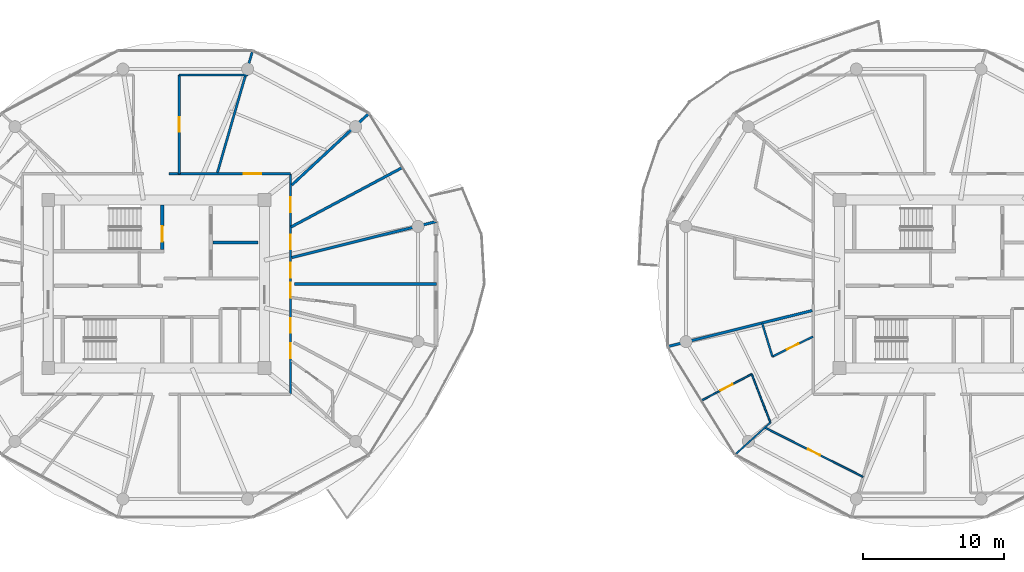
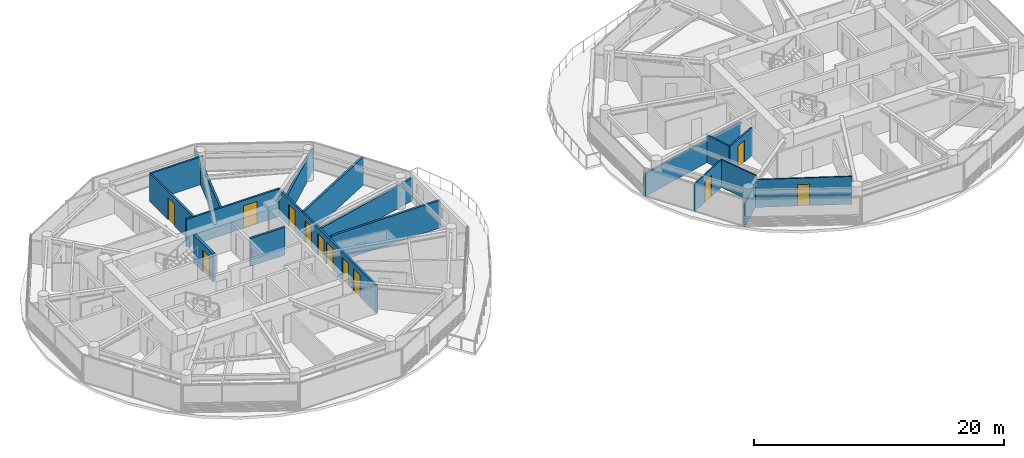
# One storey, part 15 of 22: 18 walls, 12 doors, 12 openings.
"""IFC4 building model written with IfcOpenShell, lengths in metres."""

import ifcopenshell
import ifcopenshell.guid

model = None  # the IFC model being written
_history = None  # IfcOwnerHistory: only IFC2X3 demands one
_inside = {}  # id of a spatial element -> (the spatial element, [elements in it])
_under = {}  # id of a project, library or spatial element -> (it, [spatial elements below it])
_declared = {}  # id of a project -> (the project, [libraries it declares])
_typed = {}  # id of a type object -> (the type object, [elements of that type])
_made_of = {}  # id of a material, layer set ... -> (it, [elements and type objects made of it])


def new_model(schema):
    """Start an empty IFC model of exactly this schema.

    Asked for "IFC4X3", IfcOpenShell would pick the latest addendum, in which some entities
    have other attributes; the version numbers below select the first issue.
    IFC2X3 requires an IfcOwnerHistory on every rooted entity: one is made here for all.
    """
    global model, _history
    if schema == "IFC4X3":
        model = ifcopenshell.file(schema_version=(4, 3, 0, 0))
    else:
        model = ifcopenshell.file(schema=schema)
    _inside.clear()
    _under.clear()
    _declared.clear()
    _typed.clear()
    _made_of.clear()
    _history = None
    if model.schema == "IFC2X3":
        org = make("IfcOrganization", Name="unknown")
        user = make(
            "IfcPersonAndOrganization",
            ThePerson=make("IfcPerson", FamilyName="unknown"),
            TheOrganization=org,
        )
        app = make(
            "IfcApplication",
            ApplicationDeveloper=org,
            Version="unknown",
            ApplicationFullName="unknown",
            ApplicationIdentifier="unknown",
        )
        _history = make(
            "IfcOwnerHistory",
            OwningUser=user,
            OwningApplication=app,
            ChangeAction="ADDED",
            CreationDate=0,
        )
    return model


def make(cls, **values):
    """One entity of the class cls with the attributes given. An attribute that is None is left unset."""
    return model.create_entity(
        cls, **{name: value for name, value in values.items() if value is not None}
    )


def rooted(cls, **values):
    """An entity with a GlobalId (a new one), such as an element, a storey or a relation."""
    return make(cls, GlobalId=ifcopenshell.guid.new(), OwnerHistory=_history, **values)


def si_unit(unit_type, name, prefix=None):
    """IfcSIUnit, for example si_unit("LENGTHUNIT", "METRE", prefix="MILLI")."""
    return make("IfcSIUnit", UnitType=unit_type, Prefix=prefix, Name=name)


def assignment(units):
    """IfcUnitAssignment: the units of a project."""
    return None if units is None else make("IfcUnitAssignment", Units=units)


def point(xyz):
    """IfcCartesianPoint."""
    return None if xyz is None else make("IfcCartesianPoint", Coordinates=xyz)


def direction(xyz):
    """IfcDirection."""
    return None if xyz is None else make("IfcDirection", DirectionRatios=xyz)


def frame(location, z_axis=None, x_axis=None):
    """IfcAxis2Placement3D, a coordinate frame: its origin and axes. An axis left out is left unset."""
    return make(
        "IfcAxis2Placement3D",
        Location=point(location),
        Axis=direction(z_axis),
        RefDirection=direction(x_axis),
    )


def frame_2d(location, x_axis=None):
    """IfcAxis2Placement2D, a coordinate frame in the plane: its origin and x axis."""
    return make(
        "IfcAxis2Placement2D", Location=point(location), RefDirection=direction(x_axis)
    )


def origin():
    """The frame at (0, 0, 0) with its axes left unset."""
    return frame((0.0, 0.0, 0.0))


def place(relative_to, where):
    """IfcLocalPlacement: puts the frame where relative to a parent placement (None: the world)."""
    return make(
        "IfcLocalPlacement", PlacementRelTo=relative_to, RelativePlacement=where
    )


def context(
    kind, dimensions, precision=None, world=None, true_north=None, identifier=None
):
    """IfcGeometricRepresentationContext, for example the 3D "Model" context."""
    return make(
        "IfcGeometricRepresentationContext",
        ContextIdentifier=identifier,
        ContextType=kind,
        CoordinateSpaceDimension=dimensions,
        Precision=precision,
        WorldCoordinateSystem=world,
        TrueNorth=true_north,
    )


def subcontext(parent, identifier, kind, view, scale=None):
    """IfcGeometricRepresentationSubContext, for example "Body" below "Model"."""
    return make(
        "IfcGeometricRepresentationSubContext",
        ContextIdentifier=identifier,
        ContextType=kind,
        ParentContext=parent,
        TargetScale=scale,
        TargetView=view,
    )


def project(units=None, contexts=None):
    """IfcProject with its units and contexts."""
    return rooted(
        "IfcProject",
        Name="project",
        RepresentationContexts=contexts,
        UnitsInContext=assignment(units),
    )


def spatial(cls, under=None, at=None, **own):
    """A site, building, storey or space (cls), placed at a placement, below another one or the project."""
    s = rooted(cls, ObjectPlacement=at, **own)
    if under is not None:
        _under.setdefault(under.id(), (under, []))[1].append(s)
    return s


def profile(cls, at=None, kind="AREA", **sizes):
    """A parametric profile (cls). Its sizes go by their IFC names, for example OverallWidth=200.0."""
    return make(cls, ProfileType=kind, Position=at, **sizes)


def rectangle(**sizes):
    """IfcRectangleProfileDef."""
    return profile("IfcRectangleProfileDef", **sizes)


def extrude(swept, where, along, depth):
    """IfcExtrudedAreaSolid: the profile swept, set in the frame where, extruded along a direction by depth."""
    return make(
        "IfcExtrudedAreaSolid",
        SweptArea=swept,
        Position=where,
        ExtrudedDirection=direction(along),
        Depth=depth,
    )


def shape(context_of_items, identifier, shape_type, items):
    """IfcShapeRepresentation: the items that make up one representation, for example the "Body"."""
    return make(
        "IfcShapeRepresentation",
        ContextOfItems=context_of_items,
        RepresentationIdentifier=identifier,
        RepresentationType=shape_type,
        Items=items,
    )


def source(mapping_origin, context_of_items, identifier, shape_type, items):
    """IfcRepresentationMap: a shape defined once, which mapped items show again and again."""
    return make(
        "IfcRepresentationMap",
        MappingOrigin=mapping_origin,
        MappedRepresentation=shape(context_of_items, identifier, shape_type, items),
    )


def transform(
    local_origin,
    x_axis=None,
    y_axis=None,
    z_axis=None,
    scale=None,
    scale2=None,
    scale3=None,
    uniform=True,
):
    """IfcCartesianTransformationOperator3D, or its non-uniform kind. x_axis, y_axis, z_axis: its Axis1, 2, 3."""
    if uniform:
        return make(
            "IfcCartesianTransformationOperator3D",
            Axis1=direction(x_axis),
            Axis2=direction(y_axis),
            LocalOrigin=point(local_origin),
            Scale=scale,
            Axis3=direction(z_axis),
        )
    return make(
        "IfcCartesianTransformationOperator3DnonUniform",
        Axis1=direction(x_axis),
        Axis2=direction(y_axis),
        LocalOrigin=point(local_origin),
        Scale=scale,
        Axis3=direction(z_axis),
        Scale2=scale2,
        Scale3=scale3,
    )


def mapped(mapping_source, mapping_target):
    """IfcMappedItem: shows the shape of a source again, moved by a transform."""
    return make(
        "IfcMappedItem", MappingSource=mapping_source, MappingTarget=mapping_target
    )


def material(Name=None, Category=None):
    """IfcMaterial."""
    return make("IfcMaterial", Name=Name, Category=Category)


def layer(
    of_material, thickness, ventilated=None, Name=None, Category=None, Priority=None
):
    """IfcMaterialLayer: one layer of a wall or slab, of a material (None: an air gap)."""
    return make(
        "IfcMaterialLayer",
        Material=of_material,
        LayerThickness=thickness,
        IsVentilated=ventilated,
        Name=Name,
        Category=Category,
        Priority=Priority,
    )


def layer_set(layers, Name=None):
    """IfcMaterialLayerSet."""
    return make("IfcMaterialLayerSet", MaterialLayers=layers, LayerSetName=Name)


def made_of(thing, what):
    """Note that an element or type object is made of a material, layer set ...; save() writes the relation."""
    if what is not None:
        _made_of.setdefault(what.id(), (what, []))[1].append(thing)
    return thing


def type_object(cls, material=None, **own):
    """A type object (cls), such as IfcWallType, which elements share."""
    return made_of(rooted(cls, **own), material)


def type_shapes(of_type, sources):
    """Give a type object the sources (RepresentationMaps) that its elements show as mapped items."""
    of_type.RepresentationMaps = sources


def element(
    cls,
    number,
    at=None,
    inside=None,
    cuts=None,
    type_object=None,
    material=None,
    context=None,
    identifier="Body",
    shape_type=None,
    held_by="IfcProductDefinitionShape",
    body=None,
    shapes=None,
    **own,
):
    """One element of the class cls, such as IfcWall. Its Tag is "e" and its number.

    at: its placement. inside: the storey or other place that contains it. cuts: it is an
    opening in that element (IfcRelVoidsElement). A single representation is given by context,
    identifier, shape_type and body (its items); several are given by shapes. held_by: the class
    of the entity that holds the representations. save() writes the other relations.
    """
    e = rooted(cls, Tag="e%d" % number, ObjectPlacement=at, **own)
    if body is not None:
        shapes = [shape(context, identifier, shape_type, body)]
    if shapes is not None:
        e.Representation = make(held_by, Representations=shapes)
    if inside is not None:
        _inside.setdefault(inside.id(), (inside, []))[1].append(e)
    if cuts is not None:
        rooted(
            "IfcRelVoidsElement", RelatingBuildingElement=cuts, RelatedOpeningElement=e
        )
    if type_object is not None:
        _typed.setdefault(type_object.id(), (type_object, []))[1].append(e)
    return made_of(e, material)


def fill(opening, filler):
    """IfcRelFillsElement: the door or window that sits in an opening."""
    return rooted(
        "IfcRelFillsElement",
        RelatingOpeningElement=opening,
        RelatedBuildingElement=filler,
    )


def aggregate(whole, parts):
    """IfcRelAggregates: a whole, such as a stair, and the parts it consists of."""
    return rooted("IfcRelAggregates", RelatingObject=whole, RelatedObjects=parts)


def save(model, path):
    """Write the relations noted so far, then the file.

    IfcRelAggregates (storeys below a building ...), IfcRelContainedInSpatialStructure (elements
    in a storey), IfcRelDefinesByType, IfcRelAssociatesMaterial and IfcRelDeclares: one each for
    every whole, place, type object, material and project.
    """
    for whole, parts in _under.values():
        aggregate(whole, parts)
    for where, things in _inside.values():
        rooted(
            "IfcRelContainedInSpatialStructure",
            RelatedElements=things,
            RelatingStructure=where,
        )
    for kind, things in _typed.values():
        rooted("IfcRelDefinesByType", RelatedObjects=things, RelatingType=kind)
    for what, things in _made_of.values():
        rooted("IfcRelAssociatesMaterial", RelatedObjects=things, RelatingMaterial=what)
    for by, libraries in _declared.values():
        rooted("IfcRelDeclares", RelatingContext=by, RelatedDefinitions=libraries)
    model.write(path)


model = new_model("IFC4")

# Units and contexts
model_context = context("Model", 3, precision=1e-05, world=origin(), true_north=direction((0.0, 1.0)))
body_context = subcontext(model_context, "Body", "Model", "MODEL_VIEW")
ifc_project = project(units=[si_unit("LENGTHUNIT", "METRE"), si_unit("AREAUNIT", "SQUARE_METRE"), si_unit("VOLUMEUNIT", "CUBIC_METRE"), si_unit("PLANEANGLEUNIT", "RADIAN"), si_unit("MASSUNIT", "GRAM", prefix="KILO")], contexts=[model_context])

# Site, building, storey
site_placement = place(None, origin())
site = spatial("IfcSite", under=ifc_project, at=site_placement, CompositionType="ELEMENT")
building_placement = place(site_placement, origin())
building = spatial("IfcBuilding", under=site, at=building_placement, Name="Norrkilde Senior Care Towers", CompositionType="ELEMENT")
storey_placement = place(building_placement, frame((0.0, 0.0, 126.75)))
storey = spatial("IfcBuildingStorey", under=building, at=storey_placement, Name="L39", CompositionType="ELEMENT", Elevation=126.75)

# Wall
ifc_material_1 = material(Name="Concrete C45/55", Category="concrete")
ifc_layer_1 = layer(ifc_material_1, 0.199951171875)
ifc_layer_set_1 = layer_set([ifc_layer_1], Name="Concrete C45/55")
wall_type_1 = type_object("IfcWallType", Name="Shaft Division and Plant Partition 200", PredefinedType="PARTITIONING", material=ifc_layer_set_1)
shared_shape_1 = source(origin(), body_context, "Body", "SweptSolid", [
    extrude(rectangle(XDim=3.199951171875, YDim=0.199951171875, at=frame_2d((1.60009765625, 0.0))), origin(), (0.0, 0.0, 1.0), 2.715087890625),
])
type_shapes(wall_type_1, [shared_shape_1])
wall_1_placement = place(storey_placement, frame((-24.0, 2.949951171875, 0.0), z_axis=(0.0, 0.0, 1.0), x_axis=(1.0, 0.0, 0.0)))
element("IfcWall", 1, at=wall_1_placement, inside=storey, type_object=wall_type_1, Name="WL-INT-L39-W-FFLDIV", PredefinedType="PARTITIONING", context=body_context, shape_type="MappedRepresentation", body=[
    mapped(shared_shape_1, transform((0.0, 0.0, 0.0), x_axis=(1.0, 0.0, 0.0), y_axis=(0.0, 1.0, 0.0), z_axis=(0.0, 0.0, 1.0), scale=1.0)),
])

# Wall, openings, doors
ifc_material_2 = material(Name="Gypsum Acoustic Board")
ifc_layer_2 = layer(ifc_material_2, 0.1650390625)
ifc_layer_set_2 = layer_set([ifc_layer_2], Name="Gypsum Acoustic Board")
wall_type_2 = type_object("IfcWallType", Name="Corridor Rated Partition 165", PredefinedType="PARTITIONING", material=ifc_layer_set_2)
shared_shape_2 = source(origin(), body_context, "Body", "SweptSolid", [
    extrude(rectangle(XDim=15.60009765625, YDim=0.1650390625, at=frame_2d((7.800048828125, 0.0))), origin(), (0.0, 0.0, 1.0), 2.715087890625),
])
wall_2_placement = place(storey_placement, frame((-18.5, 7.800048828125, 0.0), z_axis=(0.0, 0.0, 1.0), x_axis=(0.0, -1.0, 0.0)))
wall_2 = element("IfcWall", 2, at=wall_2_placement, inside=storey, type_object=wall_type_2, Name="WL-INT-L39-W-CRW-E-0", PredefinedType="PARTITIONING", context=body_context, shape_type="MappedRepresentation", body=[
    mapped(shared_shape_2, transform((0.0, 0.0, 0.0), x_axis=(1.0, 0.0, 0.0), y_axis=(0.0, 1.0, 0.0), z_axis=(0.0, 0.0, 1.0), scale=1.0)),
])
opening_1_placement = place(wall_2_placement, frame((12.001953125, 0.0, 0.0)))
opening_1 = element("IfcOpeningElement", 3, at=opening_1_placement, cuts=wall_2, Name="Opening D-06", PredefinedType="OPENING", context=body_context, shape_type="SweptSolid", body=[
    extrude(rectangle(XDim=1.050048828125, YDim=2.14990234375, at=frame_2d((0.52490234375, 1.074951171875))), frame((0.0, 0.092529296875, 0.0), z_axis=(0.0, -1.0, 0.0), x_axis=(1.0, 0.0, 0.0)), (0.0, 0.0, 1.0), 0.18505859375),
])
opening_2_placement = place(wall_2_placement, frame((10.210693359375, 0.0, 0.0)))
opening_2 = element("IfcOpeningElement", 4, at=opening_2_placement, cuts=wall_2, Name="Opening D-06", PredefinedType="OPENING", context=body_context, shape_type="SweptSolid", body=[
    extrude(rectangle(XDim=1.050048828125, YDim=2.14990234375, at=frame_2d((0.52490234375, 1.074951171875))), frame((0.0, 0.092529296875, 0.0), z_axis=(0.0, -1.0, 0.0), x_axis=(1.0, 0.0, 0.0)), (0.0, 0.0, 1.0), 0.18505859375),
])
opening_3_placement = place(wall_2_placement, frame((7.721923828125, 0.0, 0.0)))
opening_3 = element("IfcOpeningElement", 5, at=opening_3_placement, cuts=wall_2, Name="Opening D-06", PredefinedType="OPENING", context=body_context, shape_type="SweptSolid", body=[
    extrude(rectangle(XDim=1.050048828125, YDim=2.14990234375, at=frame_2d((0.52490234375, 1.074951171875))), frame((0.0, 0.092529296875, 0.0), z_axis=(0.0, -1.0, 0.0), x_axis=(1.0, 0.0, 0.0)), (0.0, 0.0, 1.0), 0.18505859375),
])
opening_4_placement = place(wall_2_placement, frame((6.290771484375, 0.0, 0.0)))
opening_4 = element("IfcOpeningElement", 6, at=opening_4_placement, cuts=wall_2, Name="Opening D-06", PredefinedType="OPENING", context=body_context, shape_type="SweptSolid", body=[
    extrude(rectangle(XDim=1.050048828125, YDim=2.14990234375, at=frame_2d((0.52490234375, 1.074951171875))), frame((0.0, 0.092529296875, 0.0), z_axis=(0.0, -1.0, 0.0), x_axis=(1.0, 0.0, 0.0)), (0.0, 0.0, 1.0), 0.18505859375),
])
opening_5_placement = place(wall_2_placement, frame((4.296142578125, 0.0, 0.0)))
opening_5 = element("IfcOpeningElement", 7, at=opening_5_placement, cuts=wall_2, Name="Opening D-06", PredefinedType="OPENING", context=body_context, shape_type="SweptSolid", body=[
    extrude(rectangle(XDim=1.050048828125, YDim=2.14990234375, at=frame_2d((0.52490234375, 1.074951171875))), frame((0.0, 0.092529296875, 0.0), z_axis=(0.0, -1.0, 0.0), x_axis=(1.0, 0.0, 0.0)), (0.0, 0.0, 1.0), 0.18505859375),
])
opening_6_placement = place(wall_2_placement, frame((1.654052734375, 0.0, 0.0)))
opening_6 = element("IfcOpeningElement", 8, at=opening_6_placement, cuts=wall_2, Name="Opening D-06", PredefinedType="OPENING", context=body_context, shape_type="SweptSolid", body=[
    extrude(rectangle(XDim=1.050048828125, YDim=2.14990234375, at=frame_2d((0.52490234375, 1.074951171875))), frame((0.0, 0.092529296875, 0.0), z_axis=(0.0, -1.0, 0.0), x_axis=(1.0, 0.0, 0.0)), (0.0, 0.0, 1.0), 0.18505859375),
])
ifc_material_3 = material(Name="Nordic Ash Timber", Category="wood")
door_type_1 = type_object("IfcDoorType", Name="Apartment Entrance Fire Door 1050x2150", OperationType="NOTDEFINED", PredefinedType="DOOR", material=ifc_material_3)
shared_shape_3 = source(origin(), body_context, "Body", "SweptSolid", [
    extrude(rectangle(XDim=1.050048828125, YDim=2.14990234375, at=frame_2d((0.52490234375, 1.074951171875))), frame((0.0, 0.02490234375, 0.0), z_axis=(0.0, -1.0, 0.0), x_axis=(1.0, 0.0, 0.0)), (0.0, 0.0, 1.0), 0.050048828125),
])
type_shapes(door_type_1, [shared_shape_3])
door_1_placement = place(opening_1_placement, frame((1.050048828125, 0.0, 0.0), z_axis=(0.0, 0.0, 1.0), x_axis=(-1.0, 0.0, 0.0)))
door_1 = element("IfcDoor", 9, at=door_1_placement, inside=storey, type_object=door_type_1, Name="L39 Care Suite 3910A Entrance Door", OperationType="SINGLE_SWING_LEFT", OverallHeight=2.14990234375, OverallWidth=1.050048828125, PredefinedType="DOOR", context=body_context, shape_type="MappedRepresentation", body=[
    mapped(shared_shape_3, transform((0.0, 0.0, 0.0), x_axis=(1.0, 0.0, 0.0), y_axis=(0.0, 1.0, 0.0), z_axis=(0.0, 0.0, 1.0), scale=1.0)),
])
fill(opening_1, door_1)
door_2_placement = place(opening_2_placement, frame((1.050048828125, 0.0, 0.0), z_axis=(0.0, 0.0, 1.0), x_axis=(-1.0, 0.0, 0.0)))
door_2 = element("IfcDoor", 10, at=door_2_placement, inside=storey, type_object=door_type_1, Name="L39 Therapy Day Lounge 10 Door", OperationType="SINGLE_SWING_RIGHT", OverallHeight=2.14990234375, OverallWidth=1.050048828125, PredefinedType="DOOR", context=body_context, shape_type="MappedRepresentation", body=[
    mapped(shared_shape_3, transform((0.0, 0.0, 0.0), x_axis=(1.0, 0.0, 0.0), y_axis=(0.0, 1.0, 0.0), z_axis=(0.0, 0.0, 1.0), scale=1.0)),
])
fill(opening_2, door_2)
door_3_placement = place(opening_3_placement, frame((1.050048828125, 0.0, 0.0), z_axis=(0.0, 0.0, 1.0), x_axis=(-1.0, 0.0, 0.0)))
door_3 = element("IfcDoor", 11, at=door_3_placement, inside=storey, type_object=door_type_1, Name="L39 Care Suite 3911A Entrance Door", OperationType="SINGLE_SWING_RIGHT", OverallHeight=2.14990234375, OverallWidth=1.050048828125, PredefinedType="DOOR", context=body_context, shape_type="MappedRepresentation", body=[
    mapped(shared_shape_3, transform((0.0, 0.0, 0.0), x_axis=(1.0, 0.0, 0.0), y_axis=(0.0, 1.0, 0.0), z_axis=(0.0, 0.0, 1.0), scale=1.0)),
])
fill(opening_3, door_3)
door_4_placement = place(opening_4_placement, frame((1.050048828125, 0.0, 0.0), z_axis=(0.0, 0.0, 1.0), x_axis=(-1.0, 0.0, 0.0)))
door_4 = element("IfcDoor", 12, at=door_4_placement, inside=storey, type_object=door_type_1, Name="L39 Therapy Day Lounge 11 Door", OperationType="SINGLE_SWING_LEFT", OverallHeight=2.14990234375, OverallWidth=1.050048828125, PredefinedType="DOOR", context=body_context, shape_type="MappedRepresentation", body=[
    mapped(shared_shape_3, transform((0.0, 0.0, 0.0), x_axis=(1.0, 0.0, 0.0), y_axis=(0.0, 1.0, 0.0), z_axis=(0.0, 0.0, 1.0), scale=1.0)),
])
fill(opening_4, door_4)
door_5_placement = place(opening_5_placement, frame((1.050048828125, 0.0, 0.0), z_axis=(0.0, 0.0, 1.0), x_axis=(-1.0, 0.0, 0.0)))
door_5 = element("IfcDoor", 13, at=door_5_placement, inside=storey, type_object=door_type_1, Name="L39 Physiotherapy Clinic 0A Door", OperationType="SINGLE_SWING_LEFT", OverallHeight=2.14990234375, OverallWidth=1.050048828125, PredefinedType="DOOR", context=body_context, shape_type="MappedRepresentation", body=[
    mapped(shared_shape_3, transform((0.0, 0.0, 0.0), x_axis=(1.0, 0.0, 0.0), y_axis=(0.0, 1.0, 0.0), z_axis=(0.0, 0.0, 1.0), scale=1.0)),
])
fill(opening_5, door_5)
door_6_placement = place(opening_6_placement, frame((1.050048828125, 0.0, 0.0), z_axis=(0.0, 0.0, 1.0), x_axis=(-1.0, 0.0, 0.0)))
door_6 = element("IfcDoor", 14, at=door_6_placement, inside=storey, type_object=door_type_1, Name="L39 Assessment Clinic 0B Door", OperationType="SINGLE_SWING_RIGHT", OverallHeight=2.14990234375, OverallWidth=1.050048828125, PredefinedType="DOOR", context=body_context, shape_type="MappedRepresentation", body=[
    mapped(shared_shape_3, transform((0.0, 0.0, 0.0), x_axis=(1.0, 0.0, 0.0), y_axis=(0.0, 1.0, 0.0), z_axis=(0.0, 0.0, 1.0), scale=1.0)),
])
fill(opening_6, door_6)

# Wall, opening, door
ifc_layer_3 = layer(ifc_material_1, 0.239990234375)
ifc_layer_set_3 = layer_set([ifc_layer_3], Name="Concrete C45/55")
wall_type_3 = type_object("IfcWallType", Name="Shaft and Stair Enclosure Wall 240", PredefinedType="PARTITIONING", material=ifc_layer_set_3)
shared_shape_4 = source(origin(), body_context, "Body", "SweptSolid", [
    extrude(rectangle(XDim=3.14013671875, YDim=0.239990234375, at=frame_2d((1.570068359375, 0.0))), origin(), (0.0, 0.0, 1.0), 2.72998046875),
])
type_shapes(wall_type_3, [shared_shape_4])
wall_3_placement = place(storey_placement, frame((-27.580078125, 2.449951171875, 0.0), z_axis=(0.0, 0.0, 1.0), x_axis=(0.0, 1.0, 0.0)))
wall_3 = element("IfcWall", 15, at=wall_3_placement, inside=storey, type_object=wall_type_3, Name="WL-INT-L39-W-ST1E", PredefinedType="PARTITIONING", context=body_context, shape_type="MappedRepresentation", body=[
    mapped(shared_shape_4, transform((0.0, 0.0, 0.0), x_axis=(1.0, 0.0, 0.0), y_axis=(0.0, 1.0, 0.0), z_axis=(0.0, 0.0, 1.0), scale=1.0)),
])
opening_7_placement = place(wall_3_placement, frame((0.550048828125, 0.0, 0.0)))
opening_7 = element("IfcOpeningElement", 16, at=opening_7_placement, cuts=wall_3, Name="Opening D-03", PredefinedType="OPENING", context=body_context, shape_type="SweptSolid", body=[
    extrude(rectangle(XDim=1.10009765625, YDim=2.14990234375, at=frame_2d((0.550048828125, 1.074951171875))), frame((0.0, 0.1298828125, 0.0), z_axis=(0.0, -1.0, 0.0), x_axis=(1.0, 0.0, 0.0)), (0.0, 0.0, 1.0), 0.260009765625),
])
ifc_material_4 = material(Name="Galvanised Painted Steel", Category="steel")
door_type_2 = type_object("IfcDoorType", Name="Stairwell Protected Fire Door 1100x2150", OperationType="NOTDEFINED", PredefinedType="DOOR", material=ifc_material_4)
shared_shape_5 = source(origin(), body_context, "Body", "SweptSolid", [
    extrude(rectangle(XDim=1.10009765625, YDim=2.14990234375, at=frame_2d((0.550048828125, 1.074951171875))), frame((0.0, 0.02490234375, 0.0), z_axis=(0.0, -1.0, 0.0), x_axis=(1.0, 0.0, 0.0)), (0.0, 0.0, 1.0), 0.050048828125),
])
type_shapes(door_type_2, [shared_shape_5])
door_7_placement = place(opening_7_placement, origin())
door_7 = element("IfcDoor", 17, at=door_7_placement, inside=storey, type_object=door_type_2, Name="L39 Stair W1 Fire Door", OperationType="SINGLE_SWING_LEFT", OverallHeight=2.14990234375, OverallWidth=1.10009765625, PredefinedType="DOOR", context=body_context, shape_type="MappedRepresentation", body=[
    mapped(shared_shape_5, transform((0.0, 0.0, 0.0), x_axis=(1.0, 0.0, 0.0), y_axis=(0.0, 1.0, 0.0), z_axis=(0.0, 0.0, 1.0), scale=1.0)),
])
fill(opening_7, door_7)

shared_shape_6 = source(origin(), body_context, "Body", "SweptSolid", [
    extrude(rectangle(XDim=8.60009765625, YDim=0.1650390625, at=frame_2d((4.300048828125, 0.0))), origin(), (0.0, 0.0, 1.0), 2.715087890625),
])
wall_4_placement = place(storey_placement, frame((-27.10009765625, 7.800048828125, 0.0), z_axis=(0.0, 0.0, 1.0), x_axis=(1.0, 0.0, 0.0)))
wall_4 = element("IfcWall", 18, at=wall_4_placement, inside=storey, type_object=wall_type_2, Name="WL-INT-L39-W-CRW-N-1", PredefinedType="PARTITIONING", context=body_context, shape_type="MappedRepresentation", body=[
    mapped(shared_shape_6, transform((0.0, 0.0, 0.0), x_axis=(1.0, 0.0, 0.0), y_axis=(0.0, 1.0, 0.0), z_axis=(0.0, 0.0, 1.0), scale=1.0)),
])
opening_8_placement = place(wall_4_placement, frame((5.27490234375, 0.0, 0.0)))
opening_8 = element("IfcOpeningElement", 19, at=opening_8_placement, cuts=wall_4, Name="Opening D-05", PredefinedType="OPENING", context=body_context, shape_type="SweptSolid", body=[
    extrude(rectangle(XDim=1.25, YDim=2.199951171875, at=frame_2d((0.625, 1.10009765625))), frame((0.0, 0.092529296875, 0.0), z_axis=(0.0, -1.0, 0.0), x_axis=(1.0, 0.0, 0.0)), (0.0, 0.0, 1.0), 0.18505859375),
])
door_type_3 = type_object("IfcDoorType", Name="Care Bedroom Bariatric Door 1250x2200", OperationType="NOTDEFINED", PredefinedType="DOOR", material=ifc_material_3)
shared_shape_7 = source(origin(), body_context, "Body", "SweptSolid", [
    extrude(rectangle(XDim=1.25, YDim=2.199951171875, at=frame_2d((0.625, 1.10009765625))), frame((0.0, 0.02490234375, 0.0), z_axis=(0.0, -1.0, 0.0), x_axis=(1.0, 0.0, 0.0)), (0.0, 0.0, 1.0), 0.050048828125),
])
type_shapes(door_type_3, [shared_shape_7])
door_8_placement = place(opening_8_placement, frame((1.25, 0.0, 0.0), z_axis=(0.0, 0.0, 1.0), x_axis=(-1.0, 0.0, 0.0)))
door_8 = element("IfcDoor", 20, at=door_8_placement, inside=storey, type_object=door_type_3, Name="L39 Household Therapeutic Kitchen Door", OperationType="SINGLE_SWING_RIGHT", OverallHeight=2.199951171875, OverallWidth=1.25, PredefinedType="DOOR", context=body_context, shape_type="MappedRepresentation", body=[
    mapped(shared_shape_7, transform((0.0, 0.0, 0.0), x_axis=(1.0, 0.0, 0.0), y_axis=(0.0, 1.0, 0.0), z_axis=(0.0, 0.0, 1.0), scale=1.0)),
])
fill(opening_8, door_8)

# Wall
shared_shape_8 = source(origin(), body_context, "Body", "SweptSolid", [
    extrude(rectangle(XDim=8.9892578125, YDim=0.1650390625, at=frame_2d((4.49462890625, 0.0))), origin(), (0.0, 0.0, 1.0), 2.215087890625),
])
wall_5_placement = place(storey_placement, frame((-23.677978515625, 7.8798828125, 0.0), z_axis=(0.0, 0.0, 1.0), x_axis=(0.27702323008, 0.960863221274, 0.0)))
element("IfcWall", 21, at=wall_5_placement, inside=storey, type_object=wall_type_2, Name="WL-INT-L39-W-DEM-02-0", PredefinedType="PARTITIONING", context=body_context, shape_type="MappedRepresentation", body=[
    mapped(shared_shape_8, transform((0.0, 0.0, 0.0), x_axis=(1.0, 0.0, 0.0), y_axis=(0.0, 1.0, 0.0), z_axis=(0.0, 0.0, 1.0), scale=1.0)),
])

# Wall, opening, door
shared_shape_9 = source(origin(), body_context, "Body", "SweptSolid", [
    extrude(rectangle(XDim=6.989990234375, YDim=0.1650390625, at=frame_2d((3.4951171875, 0.0))), origin(), (0.0, 0.0, 1.0), 2.715087890625),
])
wall_6_placement = place(storey_placement, frame((-26.3798828125, 7.800048828125, 0.0), z_axis=(0.0, 0.0, 1.0), x_axis=(0.0, 1.0, 0.0)))
wall_6 = element("IfcWall", 22, at=wall_6_placement, inside=storey, type_object=wall_type_2, Name="WL-INT-L39-W-PKW-NEL", PredefinedType="PARTITIONING", context=body_context, shape_type="MappedRepresentation", body=[
    mapped(shared_shape_9, transform((0.0, 0.0, 0.0), x_axis=(1.0, 0.0, 0.0), y_axis=(0.0, 1.0, 0.0), z_axis=(0.0, 0.0, 1.0), scale=1.0)),
])
opening_9_placement = place(wall_6_placement, frame((2.969970703125, 0.0, 0.0)))
opening_9 = element("IfcOpeningElement", 23, at=opening_9_placement, cuts=wall_6, Name="Opening D-06", PredefinedType="OPENING", context=body_context, shape_type="SweptSolid", body=[
    extrude(rectangle(XDim=1.050048828125, YDim=2.14990234375, at=frame_2d((0.52490234375, 1.074951171875))), frame((0.0, 0.092529296875, 0.0), z_axis=(0.0, -1.0, 0.0), x_axis=(1.0, 0.0, 0.0)), (0.0, 0.0, 1.0), 0.18505859375),
])
door_9_placement = place(opening_9_placement, frame((1.050048828125, 0.0, 0.0), z_axis=(0.0, 0.0, 1.0), x_axis=(-1.0, 0.0, 0.0)))
door_9 = element("IfcDoor", 24, at=door_9_placement, inside=storey, type_object=door_type_1, Name="L39 Reading Lounge NEL Door", OperationType="SINGLE_SWING_RIGHT", OverallHeight=2.14990234375, OverallWidth=1.050048828125, PredefinedType="DOOR", context=body_context, shape_type="MappedRepresentation", body=[
    mapped(shared_shape_3, transform((0.0, 0.0, 0.0), x_axis=(1.0, 0.0, 0.0), y_axis=(0.0, 1.0, 0.0), z_axis=(0.0, 0.0, 1.0), scale=1.0)),
])
fill(opening_9, door_9)

# Walls
shared_shape_10 = source(origin(), body_context, "Body", "SweptSolid", [
    extrude(rectangle(XDim=4.8505859375, YDim=0.1650390625, at=frame_2d((2.42529296875, 0.0))), origin(), (0.0, 0.0, 1.0), 2.715087890625),
])
type_shapes(wall_type_2, [shared_shape_2, shared_shape_6, shared_shape_8, shared_shape_9, shared_shape_10])
wall_7_placement = place(storey_placement, frame((-26.3798828125, 14.7900390625, 0.0), z_axis=(0.0, 0.0, 1.0), x_axis=(1.0, 0.0, 0.0)))
element("IfcWall", 25, at=wall_7_placement, inside=storey, type_object=wall_type_2, Name="WL-INT-L39-W-PKH-NEL-0", PredefinedType="PARTITIONING", context=body_context, shape_type="MappedRepresentation", body=[
    mapped(shared_shape_10, transform((0.0, 0.0, 0.0), x_axis=(1.0, 0.0, 0.0), y_axis=(0.0, 1.0, 0.0), z_axis=(0.0, 0.0, 1.0), scale=1.0)),
])
ifc_layer_4 = layer(ifc_material_2, 0.18994140625)
ifc_layer_set_4 = layer_set([ifc_layer_4], Name="Gypsum Acoustic Board")
wall_type_4 = type_object("IfcWallType", Name="Unit Demising Acoustic Wall 190", PredefinedType="PARTITIONING", material=ifc_layer_set_4)
shared_shape_11 = source(origin(), body_context, "Body", "SweptSolid", [
    extrude(rectangle(XDim=10.5556640625, YDim=0.18994140625, at=frame_2d((5.27783203125, 0.0))), origin(), (0.0, 0.0, 1.0), 2.215087890625),
])
for number, where, z_axis, x_axis, name in (
    (26, (-18.419921875, 1.875, 0.0), (0.0, 0.0, 1.0), (0.970363857851, 0.241648470667, 0.0), "WL-INT-L39-W-DEM-00-0"),
    (27, (18.419921875, -1.875, 0.0), (0.0, 0.0, 1.0), (-0.970363857851, -0.241648470667, 0.0), "WL-INT-L39-E-DEM-06-0"),
):
    element("IfcWall", number, at=place(storey_placement, frame(where, z_axis=z_axis, x_axis=x_axis)), inside=storey, type_object=wall_type_4, Name=name, PredefinedType="PARTITIONING", context=body_context, shape_type="MappedRepresentation", body=[
        mapped(shared_shape_11, transform((0.0, 0.0, 0.0), x_axis=(1.0, 0.0, 0.0), y_axis=(0.0, 1.0, 0.0), z_axis=(0.0, 0.0, 1.0), scale=1.0)),
    ])
shared_shape_12 = source(origin(), body_context, "Body", "SweptSolid", [
    extrude(rectangle(XDim=10.035888671875, YDim=0.18994140625, at=frame_2d((5.01806640625, 0.0))), origin(), (0.0, 0.0, 1.0), 2.715087890625),
])
wall_8_placement = place(storey_placement, frame((-18.212890625, 0.0, 0.0), z_axis=(0.0, 0.0, 1.0), x_axis=(1.0, 0.0, 0.0)))
element("IfcWall", 28, at=wall_8_placement, inside=storey, type_object=wall_type_4, Name="WL-INT-L39-W-CMID-11", PredefinedType="PARTITIONING", context=body_context, shape_type="MappedRepresentation", body=[
    mapped(shared_shape_12, transform((0.0, 0.0, 0.0), x_axis=(1.0, 0.0, 0.0), y_axis=(0.0, 1.0, 0.0), z_axis=(0.0, 0.0, 1.0), scale=1.0)),
])
shared_shape_13 = source(origin(), body_context, "Body", "SweptSolid", [
    extrude(rectangle(XDim=7.482177734375, YDim=0.18994140625, at=frame_2d((3.7412109375, 0.0))), origin(), (0.0, 0.0, 1.0), 2.215087890625),
])
wall_9_placement = place(storey_placement, frame((-18.419921875, 6.998046875, 0.0), z_axis=(0.0, 0.0, 1.0), x_axis=(0.732508698043, 0.680757671489, 0.0)))
element("IfcWall", 29, at=wall_9_placement, inside=storey, type_object=wall_type_4, Name="WL-INT-L39-W-DEM-01-0", PredefinedType="PARTITIONING", context=body_context, shape_type="MappedRepresentation", body=[
    mapped(shared_shape_13, transform((0.0, 0.0, 0.0), x_axis=(1.0, 0.0, 0.0), y_axis=(0.0, 1.0, 0.0), z_axis=(0.0, 0.0, 1.0), scale=1.0)),
])
shared_shape_14 = source(origin(), body_context, "Body", "SweptSolid", [
    extrude(rectangle(XDim=8.96826171875, YDim=0.18994140625, at=frame_2d((4.484130859375, 0.0))), origin(), (0.0, 0.0, 1.0), 2.715087890625),
])
type_shapes(wall_type_4, [shared_shape_11, shared_shape_12, shared_shape_13, shared_shape_14])
wall_10_placement = place(storey_placement, frame((-18.469970703125, 4.03564453125, 0.0), z_axis=(0.0, 0.0, 1.0), x_axis=(0.882202936563, 0.47086938605, 0.0)))
element("IfcWall", 30, at=wall_10_placement, inside=storey, type_object=wall_type_4, Name="WL-INT-L39-W-MID-00", PredefinedType="PARTITIONING", context=body_context, shape_type="MappedRepresentation", body=[
    mapped(shared_shape_14, transform((0.0, 0.0, 0.0), x_axis=(1.0, 0.0, 0.0), y_axis=(0.0, 1.0, 0.0), z_axis=(0.0, 0.0, 1.0), scale=1.0)),
])

# Wall, opening, door
ifc_layer_5 = layer(ifc_material_2, 0.114990234375)
ifc_layer_set_5 = layer_set([ifc_layer_5], Name="Gypsum Acoustic Board")
wall_type_5 = type_object("IfcWallType", Name="Internal Room Partition 115", PredefinedType="PARTITIONING", material=ifc_layer_set_5)
shared_shape_15 = source(origin(), body_context, "Body", "SweptSolid", [
    extrude(rectangle(XDim=7.76708984375, YDim=0.114990234375, at=frame_2d((3.883544921875, 0.0))), origin(), (0.0, 0.0, 1.0), 2.715087890625),
])
wall_11_placement = place(storey_placement, frame((15.069580078125, -10.16748046875, 0.0), z_axis=(0.0, 0.0, 1.0), x_axis=(0.894188177352, -0.447691303783, 0.0)))
wall_11 = element("IfcWall", 31, at=wall_11_placement, inside=storey, type_object=wall_type_5, Name="WL-INT-L39-E-UBC-06-1", PredefinedType="PARTITIONING", context=body_context, shape_type="MappedRepresentation", body=[
    mapped(shared_shape_15, transform((0.0, 0.0, 0.0), x_axis=(1.0, 0.0, 0.0), y_axis=(0.0, 1.0, 0.0), z_axis=(0.0, 0.0, 1.0), scale=1.0)),
])
opening_10_placement = place(wall_11_placement, frame((3.40869140625, 0.0, 0.0)))
opening_10 = element("IfcOpeningElement", 32, at=opening_10_placement, cuts=wall_11, Name="Opening D-07", PredefinedType="OPENING", context=body_context, shape_type="SweptSolid", body=[
    extrude(rectangle(XDim=0.949951171875, YDim=2.10009765625, at=frame_2d((0.47509765625, 1.050048828125))), frame((0.0, 0.0673828125, 0.0), z_axis=(0.0, -1.0, 0.0), x_axis=(1.0, 0.0, 0.0)), (0.0, 0.0, 1.0), 0.135009765625),
])
door_type_4 = type_object("IfcDoorType", Name="Internal Suite Bedroom Door 950x2100", OperationType="NOTDEFINED", PredefinedType="DOOR", material=ifc_material_3)
shared_shape_16 = source(origin(), body_context, "Body", "SweptSolid", [
    extrude(rectangle(XDim=0.949951171875, YDim=2.10009765625, at=frame_2d((0.47509765625, 1.050048828125))), frame((0.0, 0.02490234375, 0.0), z_axis=(0.0, -1.0, 0.0), x_axis=(1.0, 0.0, 0.0)), (0.0, 0.0, 1.0), 0.050048828125),
])
type_shapes(door_type_4, [shared_shape_16])
door_10_placement = place(opening_10_placement, origin())
door_10 = element("IfcDoor", 33, at=door_10_placement, inside=storey, type_object=door_type_4, Name="Apartment 39C Bedroom 1 Door", OperationType="SINGLE_SWING_RIGHT", OverallHeight=2.10009765625, OverallWidth=0.949951171875, PredefinedType="DOOR", context=body_context, shape_type="MappedRepresentation", body=[
    mapped(shared_shape_16, transform((0.0, 0.0, 0.0), x_axis=(1.0, 0.0, 0.0), y_axis=(0.0, 1.0, 0.0), z_axis=(0.0, 0.0, 1.0), scale=1.0)),
])
fill(opening_10, door_10)

# Wall
shared_shape_17 = source(origin(), body_context, "Body", "SweptSolid", [
    extrude(rectangle(XDim=3.392822265625, YDim=0.114990234375, at=frame_2d((1.6962890625, 0.0))), origin(), (0.0, 0.0, 1.0), 2.215087890625),
])
wall_12_placement = place(storey_placement, frame((15.451171875, -9.810791015625, 0.0), z_axis=(0.0, 0.0, 1.0), x_axis=(-0.740356690907, -0.672214229416, 0.0)))
element("IfcWall", 34, at=wall_12_placement, inside=storey, type_object=wall_type_5, Name="WL-INT-L39-E-UBR-06-1", PredefinedType="PARTITIONING", context=body_context, shape_type="MappedRepresentation", body=[
    mapped(shared_shape_17, transform((0.0, 0.0, 0.0), x_axis=(1.0, 0.0, 0.0), y_axis=(0.0, 1.0, 0.0), z_axis=(0.0, 0.0, 1.0), scale=1.0)),
])

# Wall, opening, door
ifc_layer_6 = layer(ifc_material_2, 0.139892578125)
ifc_layer_set_6 = layer_set([ifc_layer_6], Name="Gypsum Acoustic Board")
wall_type_6 = type_object("IfcWallType", Name="En-suite Wet Room Wall 140", PredefinedType="PARTITIONING", material=ifc_layer_set_6)
shared_shape_18 = source(origin(), body_context, "Body", "SweptSolid", [
    extrude(rectangle(XDim=3.20263671875, YDim=0.139892578125, at=frame_2d((1.601318359375, 0.0))), origin(), (0.0, 0.0, 1.0), 2.715087890625),
])
wall_13_placement = place(storey_placement, frame((18.469970703125, -3.716552734375, 0.0), z_axis=(0.0, 0.0, 1.0), x_axis=(-0.895552551978, -0.444955758077, 0.0)))
wall_13 = element("IfcWall", 35, at=wall_13_placement, inside=storey, type_object=wall_type_6, Name="WL-INT-L39-E-UBTS-06", PredefinedType="PARTITIONING", context=body_context, shape_type="MappedRepresentation", body=[
    mapped(shared_shape_18, transform((0.0, 0.0, 0.0), x_axis=(1.0, 0.0, 0.0), y_axis=(0.0, 1.0, 0.0), z_axis=(0.0, 0.0, 1.0), scale=1.0)),
])
opening_11_placement = place(wall_13_placement, frame((1.141357421875, 0.0, 0.0)))
opening_11 = element("IfcOpeningElement", 36, at=opening_11_placement, cuts=wall_13, Name="Opening D-08", PredefinedType="OPENING", context=body_context, shape_type="SweptSolid", body=[
    extrude(rectangle(XDim=0.919921875, YDim=2.10009765625, at=frame_2d((0.4599609375, 1.050048828125))), frame((0.0, 0.079833984375, 0.0), z_axis=(0.0, -1.0, 0.0), x_axis=(1.0, 0.0, 0.0)), (0.0, 0.0, 1.0), 0.159912109375),
])
door_type_5 = type_object("IfcDoorType", Name="Accessible Wet Room Door 920x2100", OperationType="NOTDEFINED", PredefinedType="DOOR", material=ifc_material_3)
shared_shape_19 = source(origin(), body_context, "Body", "SweptSolid", [
    extrude(rectangle(XDim=0.919921875, YDim=2.10009765625, at=frame_2d((0.4599609375, 1.050048828125))), frame((0.0, 0.02490234375, 0.0), z_axis=(0.0, -1.0, 0.0), x_axis=(1.0, 0.0, 0.0)), (0.0, 0.0, 1.0), 0.050048828125),
])
type_shapes(door_type_5, [shared_shape_19])
door_11_placement = place(opening_11_placement, origin())
door_11 = element("IfcDoor", 37, at=door_11_placement, inside=storey, type_object=door_type_5, Name="Apartment 39C Bathroom Door", OperationType="SINGLE_SWING_RIGHT", OverallHeight=2.10009765625, OverallWidth=0.919921875, PredefinedType="DOOR", context=body_context, shape_type="MappedRepresentation", body=[
    mapped(shared_shape_19, transform((0.0, 0.0, 0.0), x_axis=(1.0, 0.0, 0.0), y_axis=(0.0, 1.0, 0.0), z_axis=(0.0, 0.0, 1.0), scale=1.0)),
])
fill(opening_11, door_11)

# Wall
shared_shape_20 = source(origin(), body_context, "Body", "SweptSolid", [
    extrude(rectangle(XDim=2.4775390625, YDim=0.139892578125, at=frame_2d((1.23876953125, 0.0))), origin(), (0.0, 0.0, 1.0), 2.715087890625),
])
type_shapes(wall_type_6, [shared_shape_18, shared_shape_20])
wall_14_placement = place(storey_placement, frame((15.601806640625, -5.1416015625, 0.0), z_axis=(0.0, 0.0, 1.0), x_axis=(-0.293372504398, 0.955998207981, 0.0)))
element("IfcWall", 38, at=wall_14_placement, inside=storey, type_object=wall_type_6, Name="WL-INT-L39-E-UBTF-06", PredefinedType="PARTITIONING", context=body_context, shape_type="MappedRepresentation", body=[
    mapped(shared_shape_20, transform((0.0, 0.0, 0.0), x_axis=(1.0, 0.0, 0.0), y_axis=(0.0, 1.0, 0.0), z_axis=(0.0, 0.0, 1.0), scale=1.0)),
])

# Wall, opening, door
shared_shape_21 = source(origin(), body_context, "Body", "SweptSolid", [
    extrude(rectangle(XDim=4.041748046875, YDim=0.114990234375, at=frame_2d((2.02099609375, 0.0))), origin(), (0.0, 0.0, 1.0), 2.715087890625),
])
wall_15_placement = place(storey_placement, frame((14.134033203125, -6.375, 0.0), z_axis=(0.0, 0.0, 1.0), x_axis=(-0.88476748851, -0.466032714812, 0.0)))
wall_15 = element("IfcWall", 39, at=wall_15_placement, inside=storey, type_object=wall_type_5, Name="WL-INT-L39-E-UKTS-06", PredefinedType="PARTITIONING", context=body_context, shape_type="MappedRepresentation", body=[
    mapped(shared_shape_21, transform((0.0, 0.0, 0.0), x_axis=(1.0, 0.0, 0.0), y_axis=(0.0, 1.0, 0.0), z_axis=(0.0, 0.0, 1.0), scale=1.0)),
])
opening_12_placement = place(wall_15_placement, frame((1.5458984375, 0.0, 0.0)))
opening_12 = element("IfcOpeningElement", 40, at=opening_12_placement, cuts=wall_15, Name="Opening D-07", PredefinedType="OPENING", context=body_context, shape_type="SweptSolid", body=[
    extrude(rectangle(XDim=0.949951171875, YDim=2.10009765625, at=frame_2d((0.47509765625, 1.050048828125))), frame((0.0, 0.0673828125, 0.0), z_axis=(0.0, -1.0, 0.0), x_axis=(1.0, 0.0, 0.0)), (0.0, 0.0, 1.0), 0.135009765625),
])
door_12_placement = place(opening_12_placement, frame((0.949951171875, 0.0, 0.0), z_axis=(0.0, 0.0, 1.0), x_axis=(-1.0, 0.0, 0.0)))
door_12 = element("IfcDoor", 41, at=door_12_placement, inside=storey, type_object=door_type_4, Name="Apartment 39C Kitchen Door", OperationType="SINGLE_SWING_LEFT", OverallHeight=2.10009765625, OverallWidth=0.949951171875, PredefinedType="DOOR", context=body_context, shape_type="MappedRepresentation", body=[
    mapped(shared_shape_16, transform((0.0, 0.0, 0.0), x_axis=(1.0, 0.0, 0.0), y_axis=(0.0, 1.0, 0.0), z_axis=(0.0, 0.0, 1.0), scale=1.0)),
])
fill(opening_12, door_12)

# Wall
shared_shape_22 = source(origin(), body_context, "Body", "SweptSolid", [
    extrude(rectangle(XDim=3.677001953125, YDim=0.114990234375, at=frame_2d((1.83837890625, 0.0))), origin(), (0.0, 0.0, 1.0), 2.715087890625),
])
type_shapes(wall_type_5, [shared_shape_15, shared_shape_17, shared_shape_21, shared_shape_22])
wall_16_placement = place(storey_placement, frame((14.134033203125, -6.375, 0.0), z_axis=(0.0, 0.0, 1.0), x_axis=(0.359592980271, -0.933109258629, 0.0)))
element("IfcWall", 42, at=wall_16_placement, inside=storey, type_object=wall_type_5, Name="WL-INT-L39-E-UKTF-06", PredefinedType="PARTITIONING", context=body_context, shape_type="MappedRepresentation", body=[
    mapped(shared_shape_22, transform((0.0, 0.0, 0.0), x_axis=(1.0, 0.0, 0.0), y_axis=(0.0, 1.0, 0.0), z_axis=(0.0, 0.0, 1.0), scale=1.0)),
])

save(model, "model.ifc")
